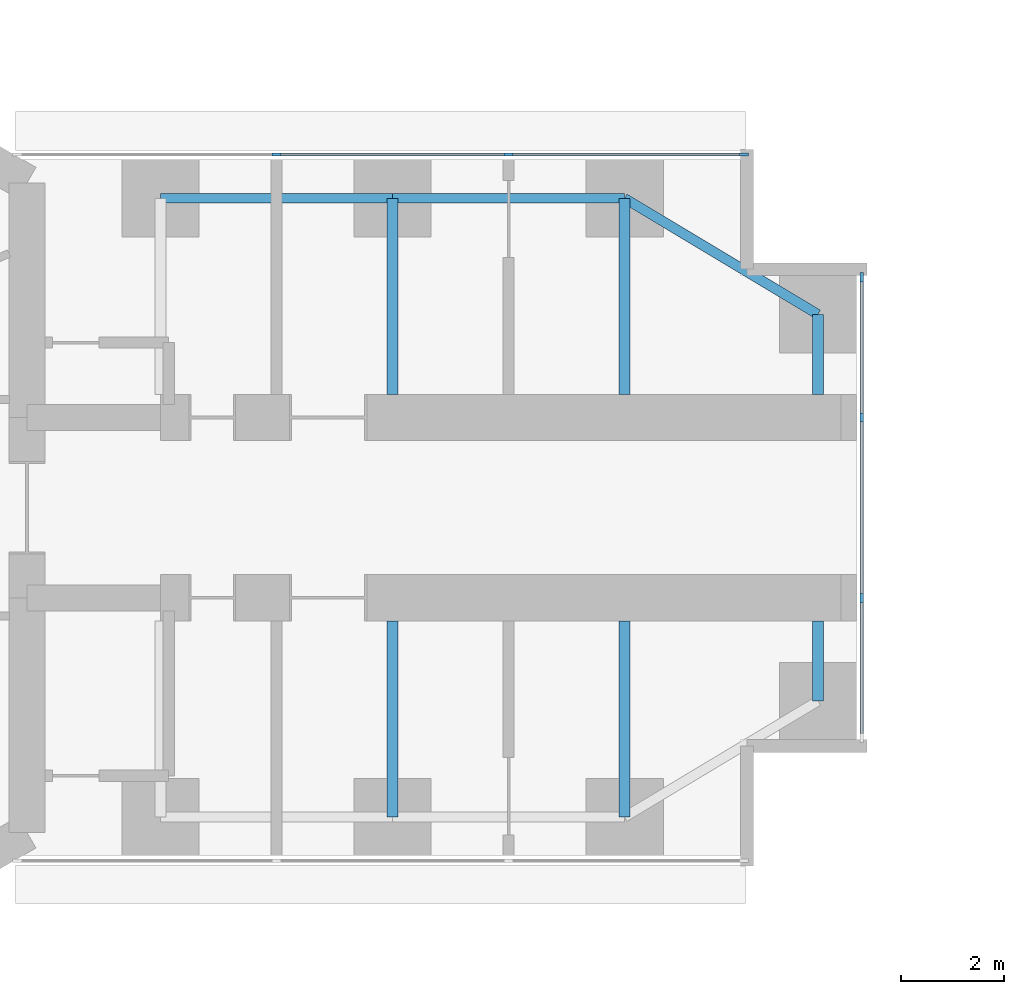
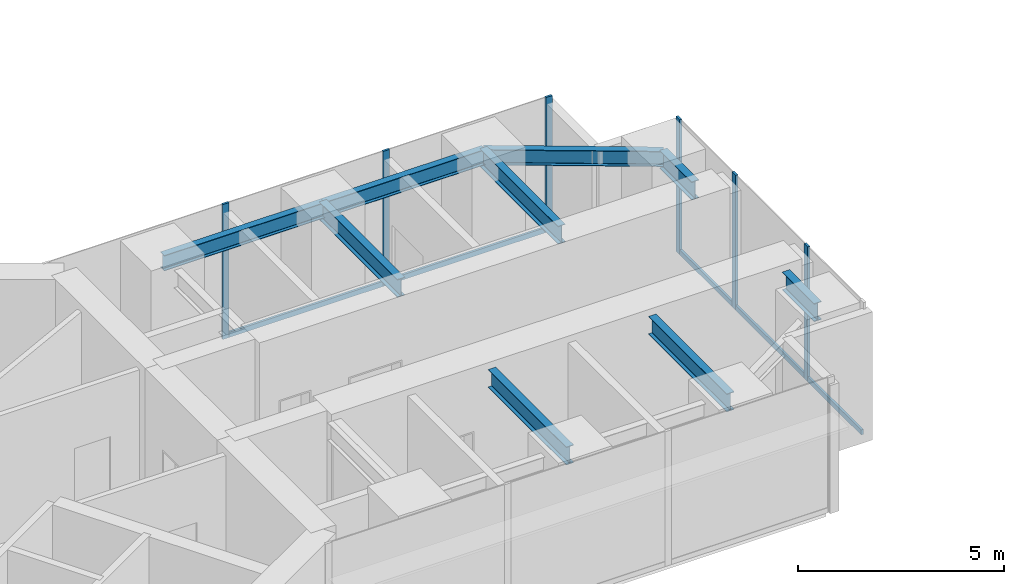
# One storey, part 8 of 22: 11 members, 9 beams, 2 elements without a shape of their own.
"""IFC4 building model written with IfcOpenShell, lengths in metres."""

from ifc_helpers import new_model, si_unit, direction, frame, origin, origin_2d, place, context, subcontext, project, spatial, rectangle, i_section, extrude, material, material_profile, profile_set, type_object, element, aggregate, save


model = new_model("IFC4")

# Units and contexts
model_context = context("Model", 3, precision=1e-05, world=origin(), true_north=direction((0.0, 1.0)))
body_context = subcontext(model_context, "Body", "Model", "MODEL_VIEW")
ifc_project = project(units=[si_unit("LENGTHUNIT", "METRE"), si_unit("AREAUNIT", "SQUARE_METRE"), si_unit("VOLUMEUNIT", "CUBIC_METRE"), si_unit("PLANEANGLEUNIT", "RADIAN"), si_unit("MASSUNIT", "GRAM", prefix="KILO")], contexts=[model_context])

# Site, building, storey
site_placement = place(None, origin())
site = spatial("IfcSite", under=ifc_project, at=site_placement, CompositionType="ELEMENT")
building_placement = place(site_placement, origin())
building = spatial("IfcBuilding", under=site, at=building_placement, Name="Upepo Twin Towers", CompositionType="ELEMENT")
storey_placement = place(building_placement, frame((0.0, 0.0, 44.5)))
storey = spatial("IfcBuildingStorey", under=building, at=storey_placement, Name="L10", CompositionType="ELEMENT", Elevation=44.5)

# Beams
ifc_material_1 = material(Name="Steel S355", Category="steel")
ifc_material_profile_1 = material_profile(ifc_material_1, i_section(OverallWidth=0.1904296875, OverallDepth=0.45703125, WebThickness=0.009033203125, FlangeThickness=0.014404296875, FilletRadius=0.01025390625, at=origin_2d()), Name="UB 457x191x74")
ifc_profile_set_1 = profile_set([ifc_material_profile_1], Name="Steel S355")
beam_type_1 = type_object("IfcBeamType", Name="Beam UB 457x191x74", PredefinedType="BEAM", material=ifc_profile_set_1)
for number, where, z_axis, x_axis, name in (
    (1, (13.5, 6.0, 3.571533203125), (1.0, 0.0, 0.0), (0.0, 1.0, 0.0), "T1 edge beam AL 13.5-18.0"),
    (2, (18.0, 6.0, 3.571533203125), (1.0, 0.0, 0.0), (0.0, 1.0, 0.0), "T1 edge beam AL 18.0-22.5"),
):
    element("IfcBeam", number, at=place(storey_placement, frame(where, z_axis=z_axis, x_axis=x_axis)), inside=storey, type_object=beam_type_1, Name=name, PredefinedType="BEAM", context=body_context, shape_type="SweptSolid", body=[
        extrude(i_section(OverallWidth=0.1904296875, OverallDepth=0.45703125, WebThickness=0.009033203125, FlangeThickness=0.014404296875, FilletRadius=0.01025390625, at=origin_2d()), origin(), (0.0, 0.0, 1.0), 4.5),
    ])
beam_placement = place(storey_placement, frame((22.5, 6.0, 3.571533203125), z_axis=(0.857492925713, -0.514495755428, 0.0), x_axis=(0.514495755428, 0.857492925713, 0.0)))
element("IfcBeam", 3, at=beam_placement, inside=storey, type_object=beam_type_1, Name="T1 nose edge beam AL", PredefinedType="BEAM", context=body_context, shape_type="SweptSolid", body=[
    extrude(i_section(OverallWidth=0.1904296875, OverallDepth=0.45703125, WebThickness=0.009033203125, FlangeThickness=0.014404296875, FilletRadius=0.01025390625, at=origin_2d()), origin(), (0.0, 0.0, 1.0), 4.373291015625),
])
ifc_material_2 = material(Name="Steel S355", Category="steel")
ifc_material_profile_2 = material_profile(ifc_material_2, i_section(OverallWidth=0.2099609375, OverallDepth=0.53662109375, WebThickness=0.0107421875, FlangeThickness=0.017333984375, FilletRadius=0.0126953125, at=origin_2d()), Name="UB 533x210x101")
ifc_profile_set_2 = profile_set([ifc_material_profile_2], Name="Steel S355")
beam_type_2 = type_object("IfcBeamType", Name="Beam UB 533x210x101", PredefinedType="BEAM", material=ifc_profile_set_2)
for number, where, z_axis, x_axis, name in (
    (4, (26.25, 3.75, 3.53173828125), (0.0, -1.0, 0.0), (1.0, 0.0, 0.0), "T1 nose beam AL"),
    (5, (26.25, -3.75, 3.53173828125), (0.0, 1.0, 0.0), (-1.0, 0.0, 0.0), "T1 nose beam AR"),
):
    element("IfcBeam", number, at=place(storey_placement, frame(where, z_axis=z_axis, x_axis=x_axis)), inside=storey, type_object=beam_type_2, Name=name, PredefinedType="BEAM", context=body_context, shape_type="SweptSolid", body=[
        extrude(i_section(OverallWidth=0.2099609375, OverallDepth=0.53662109375, WebThickness=0.0107421875, FlangeThickness=0.017333984375, FilletRadius=0.0126953125, at=origin_2d()), origin(), (0.0, 0.0, 1.0), 1.550048828125),
    ])
ifc_material_3 = material(Name="Steel S355", Category="steel")
ifc_material_profile_3 = material_profile(ifc_material_3, i_section(OverallWidth=0.209228515625, OverallDepth=0.533203125, WebThickness=0.010009765625, FlangeThickness=0.015625, FilletRadius=0.0126953125, at=origin_2d()), Name="UB 533x210x92")
ifc_profile_set_3 = profile_set([ifc_material_profile_3], Name="Steel S355")
beam_type_3 = type_object("IfcBeamType", Name="Beam UB 533x210x92", PredefinedType="BEAM", material=ifc_profile_set_3)
for number, where, z_axis, x_axis, name in (
    (6, (18.0, 6.0, 3.533447265625), (0.0, -1.0, 0.0), (1.0, 0.0, 0.0), "T1 girder AL at 18.0"),
    (7, (22.5, 6.0, 3.533447265625), (0.0, -1.0, 0.0), (1.0, 0.0, 0.0), "T1 girder AL at 22.5"),
    (8, (18.0, -6.0, 3.533447265625), (0.0, 1.0, 0.0), (-1.0, 0.0, 0.0), "T1 girder AR at 18.0"),
    (9, (22.5, -6.0, 3.533447265625), (0.0, 1.0, 0.0), (-1.0, 0.0, 0.0), "T1 girder AR at 22.5"),
):
    element("IfcBeam", number, at=place(storey_placement, frame(where, z_axis=z_axis, x_axis=x_axis)), inside=storey, type_object=beam_type_3, Name=name, PredefinedType="BEAM", context=body_context, shape_type="SweptSolid", body=[
        extrude(i_section(OverallWidth=0.209228515625, OverallDepth=0.533203125, WebThickness=0.010009765625, FlangeThickness=0.015625, FilletRadius=0.0126953125, at=origin_2d()), origin(), (0.0, 0.0, 1.0), 3.800048828125),
    ])

# Curtain wall, members
ifc_material_4 = material(Name="Aluminium and fritted glass", Category="aluminium")
curtain_wall_type = type_object("IfcCurtainWallType", Name="Tower curtain wall TW1, fritted glass", PredefinedType="NOTDEFINED", material=ifc_material_4)
curtain_wall_1_placement = place(storey_placement, origin())
curtain_wall_1 = element("IfcCurtainWall", 10, at=curtain_wall_1_placement, inside=storey, type_object=curtain_wall_type, Name="T1 L10 wing A flank L curtain wall", PredefinedType="NOTDEFINED")
ifc_material_5 = material(Name="Aluminium mullion", Category="aluminium")
ifc_material_profile_4 = material_profile(ifc_material_5, rectangle(XDim=0.06494140625, YDim=0.179931640625, at=origin_2d()), Name="MULLION 65x180")
ifc_profile_set_4 = profile_set([ifc_material_profile_4], Name="Aluminium mullion")
member_type_1 = type_object("IfcMemberType", Name="Mullion 65x180 TW1", PredefinedType="MULLION", material=ifc_profile_set_4)
member_1_placement = place(storey_placement, frame((15.75, 6.85009765625, 0.0), z_axis=(0.0, 0.0, 1.0), x_axis=(0.0, 1.0, 0.0)))
member_1 = element("IfcMember", 11, at=member_1_placement, type_object=member_type_1, Name="T1 L10 wing A flank L curtain wall mullion 2", PredefinedType="MULLION", context=body_context, shape_type="SweptSolid", body=[
    extrude(rectangle(XDim=0.06494140625, YDim=0.179931640625, at=origin_2d()), origin(), (0.0, 0.0, 1.0), 4.0),
])
member_2_placement = place(storey_placement, frame((20.25, 6.85009765625, 0.0), z_axis=(0.0, 0.0, 1.0), x_axis=(0.0, 1.0, 0.0)))
member_2 = element("IfcMember", 12, at=member_2_placement, type_object=member_type_1, Name="T1 L10 wing A flank L curtain wall mullion 3", PredefinedType="MULLION", context=body_context, shape_type="SweptSolid", body=[
    extrude(rectangle(XDim=0.06494140625, YDim=0.179931640625, at=origin_2d()), origin(), (0.0, 0.0, 1.0), 4.0),
])
member_3_placement = place(storey_placement, frame((24.8173828125, 6.85009765625, 0.0), z_axis=(0.0, 0.0, 1.0), x_axis=(0.0, 1.0, 0.0)))
member_3 = element("IfcMember", 13, at=member_3_placement, type_object=member_type_1, Name="T1 L10 wing A flank L curtain wall mullion 4", PredefinedType="MULLION", context=body_context, shape_type="SweptSolid", body=[
    extrude(rectangle(XDim=0.06494140625, YDim=0.179931640625, at=origin_2d()), origin(), (0.0, 0.0, 1.0), 4.0),
])

curtain_wall_2_placement = place(storey_placement, origin())
curtain_wall_2 = element("IfcCurtainWall", 14, at=curtain_wall_2_placement, inside=storey, type_object=curtain_wall_type, Name="T1 L10 wing A nose curtain wall", PredefinedType="NOTDEFINED")
member_4_placement = place(storey_placement, frame((27.10009765625, -1.75, 0.0), z_axis=(0.0, 0.0, 1.0), x_axis=(-1.0, 0.0, 0.0)))
member_4 = element("IfcMember", 15, at=member_4_placement, type_object=member_type_1, Name="T1 L10 wing A nose curtain wall mullion 2", PredefinedType="MULLION", context=body_context, shape_type="SweptSolid", body=[
    extrude(rectangle(XDim=0.06494140625, YDim=0.179931640625, at=origin_2d()), origin(), (0.0, 0.0, 1.0), 4.0),
])
member_5_placement = place(storey_placement, frame((27.10009765625, 1.75, 0.0), z_axis=(0.0, 0.0, 1.0), x_axis=(-1.0, 0.0, 0.0)))
member_5 = element("IfcMember", 16, at=member_5_placement, type_object=member_type_1, Name="T1 L10 wing A nose curtain wall mullion 3", PredefinedType="MULLION", context=body_context, shape_type="SweptSolid", body=[
    extrude(rectangle(XDim=0.06494140625, YDim=0.179931640625, at=origin_2d()), origin(), (0.0, 0.0, 1.0), 4.0),
])
member_6_placement = place(storey_placement, frame((27.10009765625, 4.467529296875, 0.0), z_axis=(0.0, 0.0, 1.0), x_axis=(-1.0, 0.0, 0.0)))
member_6 = element("IfcMember", 17, at=member_6_placement, type_object=member_type_1, Name="T1 L10 wing A nose curtain wall mullion 4", PredefinedType="MULLION", context=body_context, shape_type="SweptSolid", body=[
    extrude(rectangle(XDim=0.06494140625, YDim=0.179931640625, at=origin_2d()), origin(), (0.0, 0.0, 1.0), 4.0),
])

# Member
ifc_material_6 = material(Name="Aluminium transom", Category="aluminium")
ifc_material_profile_5 = material_profile(ifc_material_6, rectangle(XDim=0.06494140625, YDim=0.14990234375, at=origin_2d()), Name="TRANSOM 65x150")
ifc_profile_set_5 = profile_set([ifc_material_profile_5], Name="Aluminium transom")
member_type_2 = type_object("IfcMemberType", Name="Transom 65x150 TW1", PredefinedType="USERDEFINED", material=ifc_profile_set_5)
member_7_placement = place(storey_placement, frame((15.782470703125, 6.85009765625, 0.074951171875), z_axis=(1.0, 0.0, 0.0), x_axis=(0.0, 1.0, 0.0)))
member_7 = element("IfcMember", 18, at=member_7_placement, type_object=member_type_2, Name="T1 L10 wing A flank L curtain wall transom 2", ObjectType="TRANSOM", PredefinedType="USERDEFINED", context=body_context, shape_type="SweptSolid", body=[
    extrude(rectangle(XDim=0.06494140625, YDim=0.14990234375, at=origin_2d()), origin(), (0.0, 0.0, 1.0), 4.43505859375),
])

member_8_placement = place(storey_placement, frame((20.282470703125, 6.85009765625, 0.074951171875), z_axis=(1.0, 0.0, 0.0), x_axis=(0.0, 1.0, 0.0)))
member_8 = element("IfcMember", 19, at=member_8_placement, type_object=member_type_2, Name="T1 L10 wing A flank L curtain wall transom 3", ObjectType="TRANSOM", PredefinedType="USERDEFINED", context=body_context, shape_type="SweptSolid", body=[
    extrude(rectangle(XDim=0.06494140625, YDim=0.14990234375, at=origin_2d()), origin(), (0.0, 0.0, 1.0), 4.50244140625),
])

aggregate(curtain_wall_1, [member_1, member_2, member_3, member_7, member_8])

member_9_placement = place(storey_placement, frame((27.10009765625, -4.43505859375, 0.074951171875), z_axis=(0.0, 1.0, 0.0), x_axis=(-1.0, 0.0, 0.0)))
member_9 = element("IfcMember", 20, at=member_9_placement, type_object=member_type_2, Name="T1 L10 wing A nose curtain wall transom 1", ObjectType="TRANSOM", PredefinedType="USERDEFINED", context=body_context, shape_type="SweptSolid", body=[
    extrude(rectangle(XDim=0.06494140625, YDim=0.14990234375, at=origin_2d()), origin(), (0.0, 0.0, 1.0), 2.652587890625),
])

member_10_placement = place(storey_placement, frame((27.10009765625, -1.717529296875, 0.074951171875), z_axis=(0.0, 1.0, 0.0), x_axis=(-1.0, 0.0, 0.0)))
member_10 = element("IfcMember", 21, at=member_10_placement, type_object=member_type_2, Name="T1 L10 wing A nose curtain wall transom 2", ObjectType="TRANSOM", PredefinedType="USERDEFINED", context=body_context, shape_type="SweptSolid", body=[
    extrude(rectangle(XDim=0.06494140625, YDim=0.14990234375, at=origin_2d()), origin(), (0.0, 0.0, 1.0), 3.43505859375),
])

member_11_placement = place(storey_placement, frame((27.10009765625, 1.782470703125, 0.074951171875), z_axis=(0.0, 1.0, 0.0), x_axis=(-1.0, 0.0, 0.0)))
member_11 = element("IfcMember", 22, at=member_11_placement, type_object=member_type_2, Name="T1 L10 wing A nose curtain wall transom 3", ObjectType="TRANSOM", PredefinedType="USERDEFINED", context=body_context, shape_type="SweptSolid", body=[
    extrude(rectangle(XDim=0.06494140625, YDim=0.14990234375, at=origin_2d()), origin(), (0.0, 0.0, 1.0), 2.652587890625),
])

aggregate(curtain_wall_2, [member_4, member_5, member_6, member_9, member_10, member_11])

save(model, "model.ifc")
